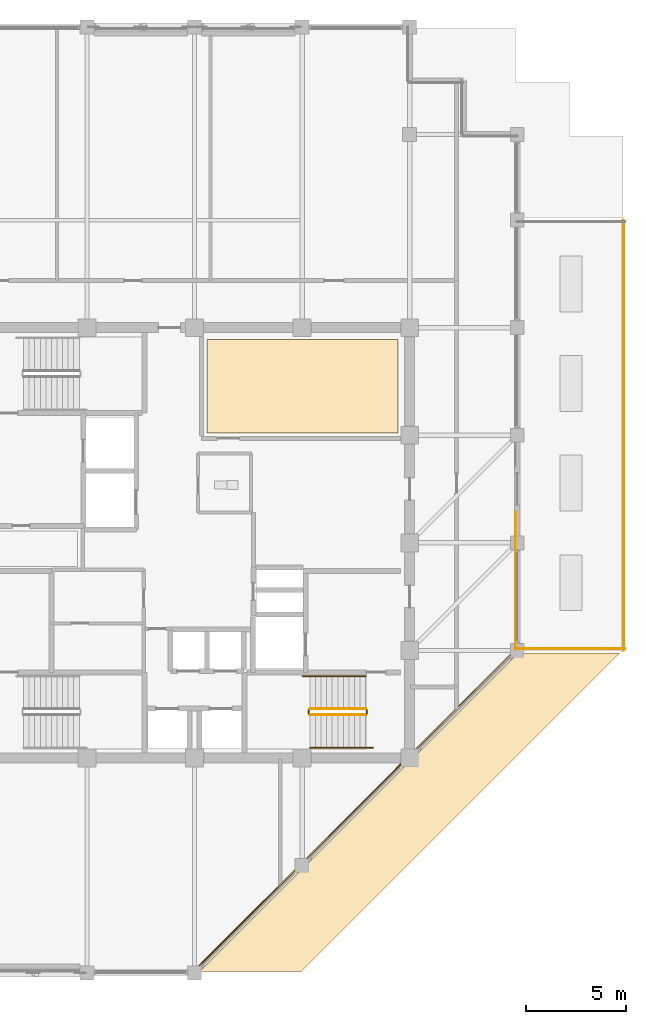
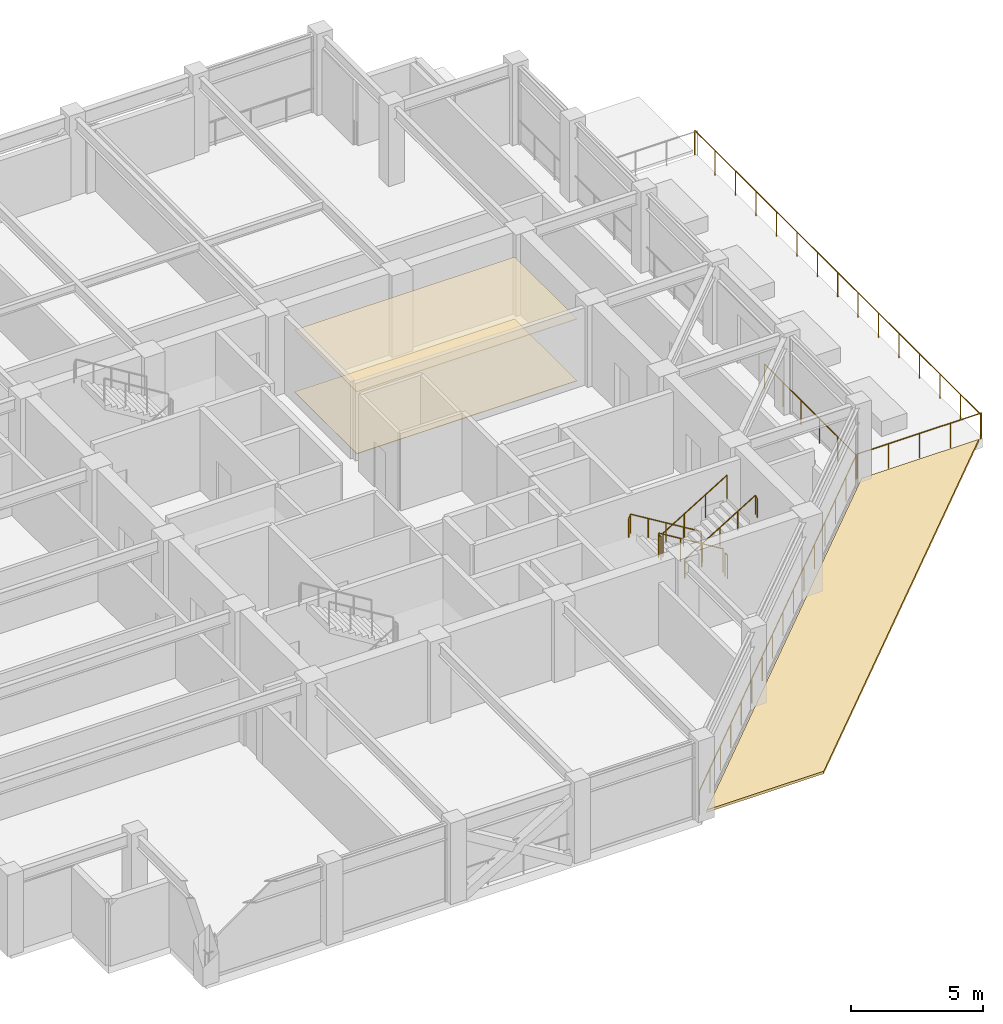
# One storey, part 31 of 34: 10 railings, 3 coverings.
"""IFC4 building model written with IfcOpenShell, lengths in metres."""

from ifc_helpers import new_model, si_unit, direction, frame, origin, origin_2d, place, context, subcontext, project, spatial, polyline, circle, outline, extrude, material, layer, layer_set, type_object, element, save


model = new_model("IFC4")

# Units and contexts
model_context = context("Model", 3, precision=1e-05, world=origin(), true_north=direction((0.0, 1.0)))
body_context = subcontext(model_context, "Body", "Model", "MODEL_VIEW")
ifc_project = project(units=[si_unit("LENGTHUNIT", "METRE"), si_unit("AREAUNIT", "SQUARE_METRE"), si_unit("VOLUMEUNIT", "CUBIC_METRE"), si_unit("PLANEANGLEUNIT", "RADIAN"), si_unit("MASSUNIT", "GRAM", prefix="KILO")], contexts=[model_context])

# Site, building, storey
site_placement = place(None, origin())
site = spatial("IfcSite", under=ifc_project, at=site_placement, CompositionType="ELEMENT")
building_placement = place(site_placement, origin())
building = spatial("IfcBuilding", under=site, at=building_placement, Name="Surkhivell Harbour Commons", CompositionType="ELEMENT")
storey_placement = place(building_placement, frame((0.0, 0.0, 258.75)))
storey = spatial("IfcBuildingStorey", under=building, at=storey_placement, Name="L67", CompositionType="ELEMENT", Elevation=258.75)

# Coverings
ifc_material_1 = material(Name="Moisture-resistant gypsum acoustic ceiling board", Category="other")
ifc_layer_1 = layer(ifc_material_1, 0.030029296875)
ifc_layer_set_1 = layer_set([ifc_layer_1], Name="Moisture-resistant gypsum acoustic ceiling board")
covering_type_1 = type_object("IfcCoveringType", Name="COV-CEIL-GYP", PredefinedType="CEILING", material=ifc_layer_set_1)
covering_1_placement = place(storey_placement, frame((0.0, 0.0, 2.846923828125)))
element("IfcCovering", 1, at=covering_1_placement, inside=storey, type_object=covering_type_1, Name="L67 Suspended Acoustic Ceiling 2", PredefinedType="CEILING", context=body_context, shape_type="SweptSolid", body=[
    extrude(outline(polyline([(0.6201171875, 5.52001953125), (10.219970703125, 5.52001953125), (10.219970703125, 10.219970703125), (0.6201171875, 10.219970703125), (0.6201171875, 5.52001953125)])), origin(), (0.0, 0.0, 1.0), 0.030029296875),
])
ifc_material_2 = material(Name="Engineered acoustic oak timber flooring", Category="wood")
ifc_layer_2 = layer(ifc_material_2, 0.02001953125)
ifc_layer_set_2 = layer_set([ifc_layer_2], Name="Engineered acoustic oak timber flooring")
covering_type_2 = type_object("IfcCoveringType", Name="COV-FLR-TIM", PredefinedType="FLOORING", material=ifc_layer_set_2)
covering_2_placement = place(storey_placement, origin())
element("IfcCovering", 2, at=covering_2_placement, inside=storey, type_object=covering_type_2, Name="L67 Interior Floor Finish 2", PredefinedType="FLOORING", context=body_context, shape_type="SweptSolid", body=[
    extrude(outline(polyline([(0.6201171875, 5.52001953125), (10.219970703125, 5.52001953125), (10.219970703125, 10.219970703125), (0.6201171875, 10.219970703125), (0.6201171875, 5.52001953125)])), origin(), (0.0, 0.0, 1.0), 0.02001953125),
])
ifc_material_3 = material(Name="Inverted elastomeric waterproofing membrane and rigid insulation", Category="other")
ifc_layer_3 = layer(ifc_material_3, 0.1201171875)
ifc_layer_set_3 = layer_set([ifc_layer_3], Name="Inverted elastomeric waterproofing membrane and rigid insulation")
covering_type_3 = type_object("IfcCoveringType", Name="COV-ROOF-MEM", PredefinedType="ROOFING", material=ifc_layer_set_3)
covering_3_placement = place(storey_placement, origin())
element("IfcCovering", 3, at=covering_3_placement, inside=storey, type_object=covering_type_3, Name="L67 Setback Waterproofing Roof Membrane 2-1", PredefinedType="ROOFING", context=body_context, shape_type="SweptSolid", body=[
    extrude(outline(polyline([(21.35693359375, -5.530029296875), (16.25390625, -5.530029296875), (0.263916015625, -21.52001953125), (5.366943359375, -21.52001953125), (21.35693359375, -5.530029296875)])), origin(), (0.0, 0.0, 1.0), 0.1201171875),
])

# Railings
ifc_material_4 = material(Name="Laminated safety glass and stainless steel S355 balustrade", Category="steel")
railing_type_1 = type_object("IfcRailingType", Name="RAL-BAL-1150", PredefinedType="BALUSTRADE", material=ifc_material_4)
railing_1_placement = place(storey_placement, frame((-0.063720703125, -21.536376953125, 0.0)))
element("IfcRailing", 4, at=railing_1_placement, inside=storey, type_object=railing_type_1, Name="L67 Perimeter Safety Guard 02", PredefinedType="BALUSTRADE", context=body_context, shape_type="SweptSolid", body=[
    extrude(circle(Radius=0.02392578125, at=origin_2d()), frame((0.0, 0.0, 1.1259765625), z_axis=(0.707112109337, 0.707101452996, 0.0), x_axis=(-0.707101452996, 0.707112109337, 0.0)), (0.0, 0.0, 1.0), 22.910400390625),
    extrude(circle(Radius=0.02099609375, at=origin_2d()), origin(), (0.0, 0.0, 1.0), 1.101806640625),
    extrude(circle(Radius=0.02099609375, at=origin_2d()), frame((1.080078125, 1.080078125, 0.0)), (0.0, 0.0, 1.0), 1.101806640625),
    extrude(circle(Radius=0.02099609375, at=origin_2d()), frame((2.159912109375, 2.159912109375, 0.0)), (0.0, 0.0, 1.0), 1.101806640625),
    extrude(circle(Radius=0.02099609375, at=origin_2d()), frame((3.239990234375, 3.239990234375, 0.0)), (0.0, 0.0, 1.0), 1.101806640625),
    extrude(circle(Radius=0.02099609375, at=origin_2d()), frame((4.320068359375, 4.320068359375, 0.0)), (0.0, 0.0, 1.0), 1.101806640625),
    extrude(circle(Radius=0.02099609375, at=origin_2d()), frame((5.400146484375, 5.39990234375, 0.0)), (0.0, 0.0, 1.0), 1.101806640625),
    extrude(circle(Radius=0.02099609375, at=origin_2d()), frame((6.47998046875, 6.47998046875, 0.0)), (0.0, 0.0, 1.0), 1.101806640625),
    extrude(circle(Radius=0.02099609375, at=origin_2d()), frame((7.56005859375, 7.56005859375, 0.0)), (0.0, 0.0, 1.0), 1.101806640625),
    extrude(circle(Radius=0.02099609375, at=origin_2d()), frame((8.64013671875, 8.639892578125, 0.0)), (0.0, 0.0, 1.0), 1.101806640625),
    extrude(circle(Radius=0.02099609375, at=origin_2d()), frame((9.72021484375, 9.719970703125, 0.0)), (0.0, 0.0, 1.0), 1.101806640625),
    extrude(circle(Radius=0.02099609375, at=origin_2d()), frame((10.800048828125, 10.800048828125, 0.0)), (0.0, 0.0, 1.0), 1.101806640625),
    extrude(circle(Radius=0.02099609375, at=origin_2d()), frame((11.880126953125, 11.8798828125, 0.0)), (0.0, 0.0, 1.0), 1.101806640625),
    extrude(circle(Radius=0.02099609375, at=origin_2d()), frame((12.960205078125, 12.9599609375, 0.0)), (0.0, 0.0, 1.0), 1.101806640625),
    extrude(circle(Radius=0.02099609375, at=origin_2d()), frame((14.040283203125, 14.0400390625, 0.0)), (0.0, 0.0, 1.0), 1.101806640625),
    extrude(circle(Radius=0.02099609375, at=origin_2d()), frame((15.1201171875, 15.119873046875, 0.0)), (0.0, 0.0, 1.0), 1.101806640625),
    extrude(circle(Radius=0.02099609375, at=origin_2d()), frame((16.2001953125, 16.199951171875, 0.0)), (0.0, 0.0, 1.0), 1.101806640625),
])
railing_2_placement = place(storey_placement, frame((16.110107421875, -5.35009765625, 0.0)))
element("IfcRailing", 5, at=railing_2_placement, inside=storey, type_object=railing_type_1, Name="L67 Perimeter Safety Guard 03A", PredefinedType="BALUSTRADE", context=body_context, shape_type="SweptSolid", body=[
    extrude(circle(Radius=0.02392578125, at=origin_2d()), frame((0.0, 0.0, 1.1259765625), z_axis=(0.0, 1.0, 0.0), x_axis=(-1.0, 0.0, 0.0)), (0.0, 0.0, 1.0), 6.900146484375),
    extrude(circle(Radius=0.02099609375, at=origin_2d()), origin(), (0.0, 0.0, 1.0), 1.101806640625),
    extrude(circle(Radius=0.02099609375, at=origin_2d()), frame((0.0, 1.380126953125, 0.0)), (0.0, 0.0, 1.0), 1.101806640625),
    extrude(circle(Radius=0.02099609375, at=origin_2d()), frame((0.0, 2.760009765625, 0.0)), (0.0, 0.0, 1.0), 1.101806640625),
    extrude(circle(Radius=0.02099609375, at=origin_2d()), frame((0.0, 4.14013671875, 0.0)), (0.0, 0.0, 1.0), 1.101806640625),
    extrude(circle(Radius=0.02099609375, at=origin_2d()), frame((0.0, 5.52001953125, 0.0)), (0.0, 0.0, 1.0), 1.101806640625),
    extrude(circle(Radius=0.02099609375, at=origin_2d()), frame((0.0, 6.900146484375, 0.0)), (0.0, 0.0, 1.0), 1.101806640625),
])
railing_3_placement = place(storey_placement, frame((16.199951171875, -5.320068359375, 0.0)))
element("IfcRailing", 6, at=railing_3_placement, inside=storey, type_object=railing_type_1, Name="L67 Sky-Garden Terrace Balustrade 1", PredefinedType="BALUSTRADE", context=body_context, shape_type="SweptSolid", body=[
    extrude(circle(Radius=0.02392578125, at=origin_2d()), frame((0.0, 0.0, 1.1259765625), z_axis=(1.0, 0.0, 0.0), x_axis=(0.0, 1.0, 0.0)), (0.0, 0.0, 1.0), 5.400146484375),
    extrude(circle(Radius=0.02099609375, at=origin_2d()), origin(), (0.0, 0.0, 1.0), 1.101806640625),
    extrude(circle(Radius=0.02099609375, at=origin_2d()), frame((1.35009765625, 0.0, 0.0)), (0.0, 0.0, 1.0), 1.101806640625),
    extrude(circle(Radius=0.02099609375, at=origin_2d()), frame((2.7001953125, 0.0, 0.0)), (0.0, 0.0, 1.0), 1.101806640625),
    extrude(circle(Radius=0.02099609375, at=origin_2d()), frame((4.050048828125, 0.0, 0.0)), (0.0, 0.0, 1.0), 1.101806640625),
    extrude(circle(Radius=0.02099609375, at=origin_2d()), frame((5.400146484375, 0.0, 0.0)), (0.0, 0.0, 1.0), 1.101806640625),
])
railing_4_placement = place(storey_placement, frame((21.52001953125, -5.39990234375, 0.0)))
element("IfcRailing", 7, at=railing_4_placement, inside=storey, type_object=railing_type_1, Name="L67 Sky-Garden Terrace Balustrade 2", PredefinedType="BALUSTRADE", context=body_context, shape_type="SweptSolid", body=[
    extrude(circle(Radius=0.02392578125, at=origin_2d()), frame((0.0, 0.0, 1.1259765625), z_axis=(0.0, 1.0, 0.0), x_axis=(-1.0, 0.0, 0.0)), (0.0, 0.0, 1.0), 21.599853515625),
    extrude(circle(Radius=0.02099609375, at=origin_2d()), origin(), (0.0, 0.0, 1.0), 1.101806640625),
    extrude(circle(Radius=0.02099609375, at=origin_2d()), frame((0.0, 1.54296875, 0.0)), (0.0, 0.0, 1.0), 1.101806640625),
    extrude(circle(Radius=0.02099609375, at=origin_2d()), frame((0.0, 3.085693359375, 0.0)), (0.0, 0.0, 1.0), 1.101806640625),
    extrude(circle(Radius=0.02099609375, at=origin_2d()), frame((0.0, 4.62841796875, 0.0)), (0.0, 0.0, 1.0), 1.101806640625),
    extrude(circle(Radius=0.02099609375, at=origin_2d()), frame((0.0, 6.17138671875, 0.0)), (0.0, 0.0, 1.0), 1.101806640625),
    extrude(circle(Radius=0.02099609375, at=origin_2d()), frame((0.0, 7.71435546875, 0.0)), (0.0, 0.0, 1.0), 1.101806640625),
    extrude(circle(Radius=0.02099609375, at=origin_2d()), frame((0.0, 9.257080078125, 0.0)), (0.0, 0.0, 1.0), 1.101806640625),
    extrude(circle(Radius=0.02099609375, at=origin_2d()), frame((0.0, 10.7998046875, 0.0)), (0.0, 0.0, 1.0), 1.101806640625),
    extrude(circle(Radius=0.02099609375, at=origin_2d()), frame((0.0, 12.3427734375, 0.0)), (0.0, 0.0, 1.0), 1.101806640625),
    extrude(circle(Radius=0.02099609375, at=origin_2d()), frame((0.0, 13.8857421875, 0.0)), (0.0, 0.0, 1.0), 1.101806640625),
    extrude(circle(Radius=0.02099609375, at=origin_2d()), frame((0.0, 15.428466796875, 0.0)), (0.0, 0.0, 1.0), 1.101806640625),
    extrude(circle(Radius=0.02099609375, at=origin_2d()), frame((0.0, 16.97119140625, 0.0)), (0.0, 0.0, 1.0), 1.101806640625),
    extrude(circle(Radius=0.02099609375, at=origin_2d()), frame((0.0, 18.51416015625, 0.0)), (0.0, 0.0, 1.0), 1.101806640625),
    extrude(circle(Radius=0.02099609375, at=origin_2d()), frame((0.0, 20.05712890625, 0.0)), (0.0, 0.0, 1.0), 1.101806640625),
    extrude(circle(Radius=0.02099609375, at=origin_2d()), frame((0.0, 21.599853515625, 0.0)), (0.0, 0.0, 1.0), 1.101806640625),
])
ifc_material_5 = material(Name="Galvanised and painted steel S355 guard rail", Category="steel")
railing_type_2 = type_object("IfcRailingType", Name="RAL-ST-GRD1100", PredefinedType="GUARDRAIL", material=ifc_material_5)
railing_5_placement = place(storey_placement, frame((8.590087890625, -8.340087890625, 0.17041015625)))
element("IfcRailing", 8, at=railing_5_placement, inside=storey, type_object=railing_type_2, Name="L67 ST2 stair guard 1", PredefinedType="GUARDRAIL", context=body_context, shape_type="SweptSolid", body=[
    extrude(circle(Radius=0.02392578125, at=origin_2d()), frame((0.0, 0.0, 1.076171875), z_axis=(-0.854169791009, 0.0, 0.51999420009), x_axis=(0.0, -1.0, 0.0)), (0.0, 0.0, 1.0), 3.278076171875),
    extrude(circle(Radius=0.02099609375, at=origin_2d()), origin(), (0.0, 0.0, 1.0), 1.052001953125),
    extrude(circle(Radius=0.02099609375, at=origin_2d()), frame((-0.933349609375, 0.0, 0.568115234375)), (0.0, 0.0, 1.0), 1.052001953125),
    extrude(circle(Radius=0.02099609375, at=origin_2d()), frame((-1.86669921875, 0.0, 1.136474609375)), (0.0, 0.0, 1.0), 1.052001953125),
    extrude(circle(Radius=0.02099609375, at=origin_2d()), frame((-2.800048828125, 0.0, 1.70458984375)), (0.0, 0.0, 1.0), 1.052001953125),
])
railing_6_placement = place(storey_placement, frame((5.739990234375, -8.389892578125, 1.875)))
element("IfcRailing", 9, at=railing_6_placement, inside=storey, type_object=railing_type_2, Name="L67 ST2 stair guard 2", PredefinedType="GUARDRAIL", context=body_context, shape_type="SweptSolid", body=[
    extrude(circle(Radius=0.02392578125, at=origin_2d()), frame((0.0, 0.0, 1.076171875), z_axis=(0.0, -1.0, 0.0), x_axis=(1.0, 0.0, 0.0)), (0.0, 0.0, 1.0), 0.2001953125),
    extrude(circle(Radius=0.02099609375, at=origin_2d()), origin(), (0.0, 0.0, 1.0), 1.052001953125),
    extrude(circle(Radius=0.02099609375, at=origin_2d()), frame((0.0, -0.2001953125, 0.0)), (0.0, 0.0, 1.0), 1.052001953125),
])
railing_7_placement = place(storey_placement, frame((5.7900390625, -8.639892578125, 2.04541015625)))
element("IfcRailing", 10, at=railing_7_placement, inside=storey, type_object=railing_type_2, Name="L67 ST2 stair guard 3", PredefinedType="GUARDRAIL", context=body_context, shape_type="SweptSolid", body=[
    extrude(circle(Radius=0.02392578125, at=origin_2d()), frame((0.0, 0.0, 1.076171875), z_axis=(0.854169791009, 0.0, 0.51999420009), x_axis=(0.0, 1.0, 0.0)), (0.0, 0.0, 1.0), 3.278076171875),
    extrude(circle(Radius=0.02099609375, at=origin_2d()), origin(), (0.0, 0.0, 1.0), 1.052001953125),
    extrude(circle(Radius=0.02099609375, at=origin_2d()), frame((0.933349609375, 0.0, 0.568115234375)), (0.0, 0.0, 1.0), 1.052001953125),
    extrude(circle(Radius=0.02099609375, at=origin_2d()), frame((1.86669921875, 0.0, 1.136474609375)), (0.0, 0.0, 1.0), 1.052001953125),
    extrude(circle(Radius=0.02099609375, at=origin_2d()), frame((2.800048828125, 0.0, 1.70458984375)), (0.0, 0.0, 1.0), 1.052001953125),
])
railing_8_placement = place(storey_placement, frame((8.639892578125, -8.389892578125, 0.0)))
element("IfcRailing", 11, at=railing_8_placement, inside=storey, type_object=railing_type_2, Name="L67 ST2 stair guard 4", PredefinedType="GUARDRAIL", context=body_context, shape_type="SweptSolid", body=[
    extrude(circle(Radius=0.02392578125, at=origin_2d()), frame((0.0, 0.0, 1.076171875), z_axis=(0.0, -1.0, 0.0), x_axis=(1.0, 0.0, 0.0)), (0.0, 0.0, 1.0), 0.2001953125),
    extrude(circle(Radius=0.02099609375, at=origin_2d()), origin(), (0.0, 0.0, 1.0), 1.052001953125),
    extrude(circle(Radius=0.02099609375, at=origin_2d()), frame((0.0, -0.2001953125, 0.0)), (0.0, 0.0, 1.0), 1.052001953125),
])
ifc_material_6 = material(Name="Brushed stainless steel S355 handrail", Category="steel")
railing_type_3 = type_object("IfcRailingType", Name="RAL-ST-HND900", PredefinedType="HANDRAIL", material=ifc_material_6)
railing_9_placement = place(storey_placement, frame((8.590087890625, -6.68994140625, 0.17041015625)))
element("IfcRailing", 12, at=railing_9_placement, inside=storey, type_object=railing_type_3, Name="L67 ST2 stair handrail 1", PredefinedType="HANDRAIL", context=body_context, shape_type="SweptSolid", body=[
    extrude(circle(Radius=0.02392578125, at=origin_2d()), frame((0.0, 0.0, 0.8759765625), z_axis=(-0.854177636135, 0.0, 0.519981313056), x_axis=(0.0, -1.0, 0.0)), (0.0, 0.0, 1.0), 3.60595703125),
    extrude(circle(Radius=0.02392578125, at=origin_2d()), frame((-3.080078125, 0.0, 2.7509765625), z_axis=(-0.425297416671, 0.0, -0.905053648892), x_axis=(0.0, -1.0, 0.0)), (0.0, 0.0, 1.0), 0.188232421875),
    extrude(circle(Radius=0.02099609375, at=origin_2d()), origin(), (0.0, 0.0, 1.0), 0.851806640625),
    extrude(circle(Radius=0.02099609375, at=origin_2d()), frame((-0.77001953125, 0.0, 0.46875)), (0.0, 0.0, 1.0), 0.851806640625),
    extrude(circle(Radius=0.02099609375, at=origin_2d()), frame((-1.5400390625, 0.0, 0.9375)), (0.0, 0.0, 1.0), 0.851806640625),
    extrude(circle(Radius=0.02099609375, at=origin_2d()), frame((-2.31005859375, 0.0, 1.40625)), (0.0, 0.0, 1.0), 0.851806640625),
    extrude(circle(Radius=0.02099609375, at=origin_2d()), frame((-3.080078125, 0.0, 1.875)), (0.0, 0.0, 1.0), 0.851806640625),
    extrude(circle(Radius=0.02099609375, at=origin_2d()), frame((-3.16015625, 0.0, 1.70458984375)), (0.0, 0.0, 1.0), 0.851806640625),
])
railing_10_placement = place(storey_placement, frame((5.7900390625, -10.2900390625, 2.04541015625)))
element("IfcRailing", 13, at=railing_10_placement, inside=storey, type_object=railing_type_3, Name="L67 ST2 stair handrail 2", PredefinedType="HANDRAIL", context=body_context, shape_type="SweptSolid", body=[
    extrude(circle(Radius=0.02392578125, at=origin_2d()), frame((0.0, 0.0, 0.8759765625), z_axis=(0.854177636135, 0.0, 0.519981313056), x_axis=(0.0, 1.0, 0.0)), (0.0, 0.0, 1.0), 3.60595703125),
    extrude(circle(Radius=0.02392578125, at=origin_2d()), frame((3.080078125, 0.0, 2.7509765625), z_axis=(0.424234432967, 0.0, -0.905552398199), x_axis=(0.0, 1.0, 0.0)), (0.0, 0.0, 1.0), 0.188232421875),
    extrude(circle(Radius=0.02099609375, at=origin_2d()), origin(), (0.0, 0.0, 1.0), 0.851806640625),
    extrude(circle(Radius=0.02099609375, at=origin_2d()), frame((0.77001953125, 0.0, 0.46875)), (0.0, 0.0, 1.0), 0.851806640625),
    extrude(circle(Radius=0.02099609375, at=origin_2d()), frame((1.5400390625, 0.0, 0.9375)), (0.0, 0.0, 1.0), 0.851806640625),
    extrude(circle(Radius=0.02099609375, at=origin_2d()), frame((2.31005859375, 0.0, 1.40625)), (0.0, 0.0, 1.0), 0.851806640625),
    extrude(circle(Radius=0.02099609375, at=origin_2d()), frame((3.080078125, 0.0, 1.875)), (0.0, 0.0, 1.0), 0.851806640625),
    extrude(circle(Radius=0.02099609375, at=origin_2d()), frame((3.159912109375, 0.0, 1.70458984375)), (0.0, 0.0, 1.0), 0.851806640625),
])

save(model, "model.ifc")
